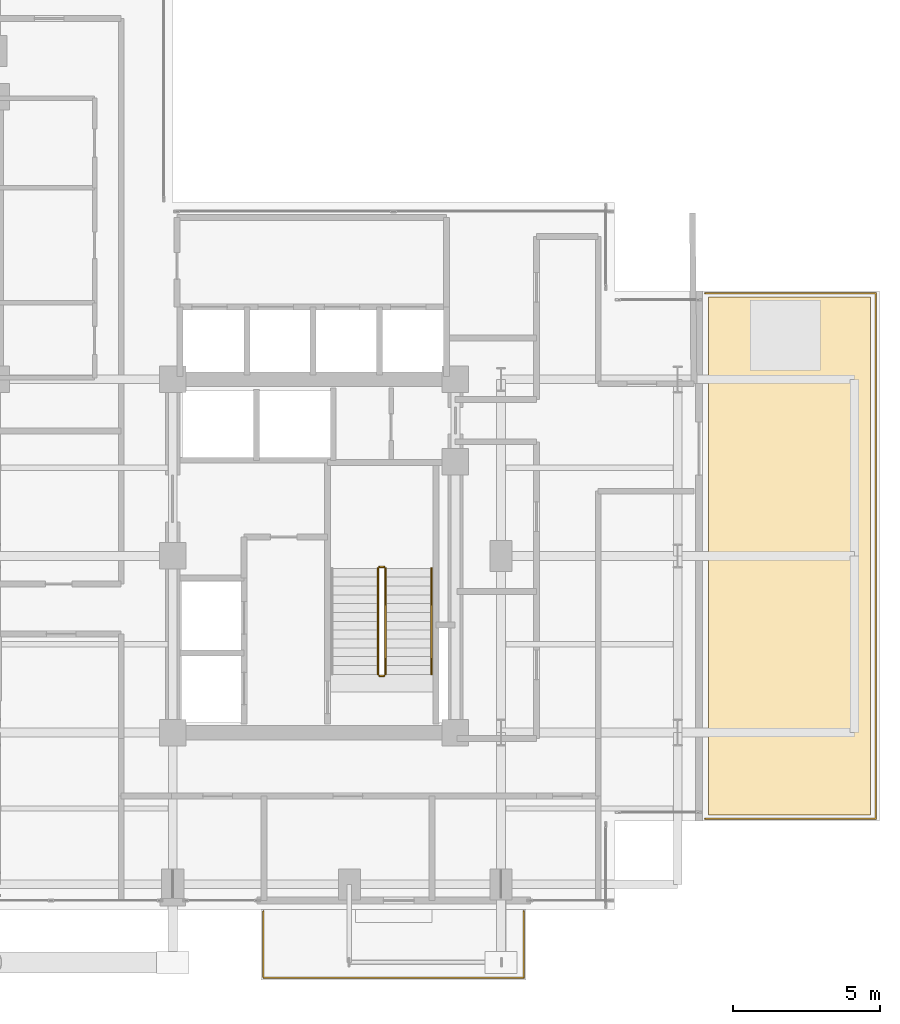
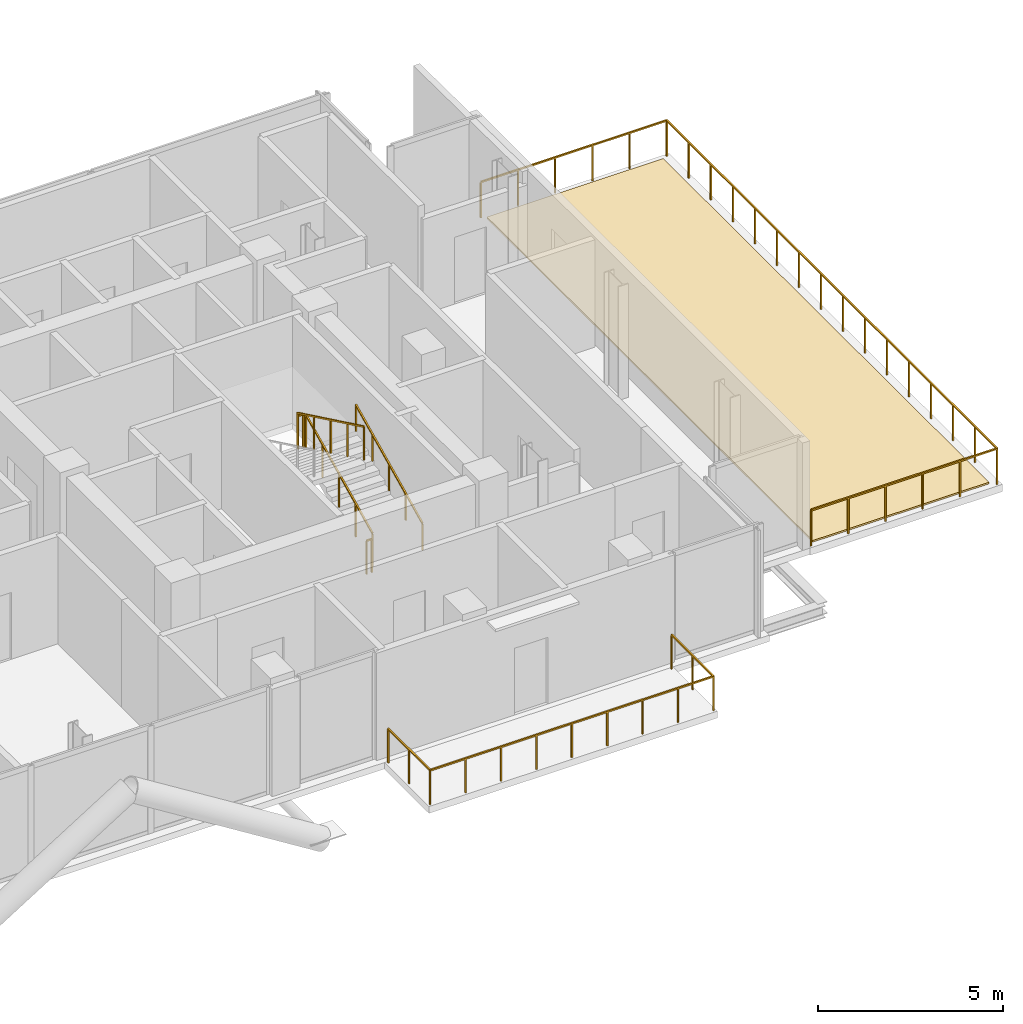
# One storey, part 27 of 28: 7 railings, 1 covering.
"""IFC4 building model written with IfcOpenShell, lengths in metres."""

import ifcopenshell
import ifcopenshell.guid

model = None  # the IFC model being written
_history = None  # IfcOwnerHistory: only IFC2X3 demands one
_inside = {}  # id of a spatial element -> (the spatial element, [elements in it])
_under = {}  # id of a project, library or spatial element -> (it, [spatial elements below it])
_declared = {}  # id of a project -> (the project, [libraries it declares])
_typed = {}  # id of a type object -> (the type object, [elements of that type])
_made_of = {}  # id of a material, layer set ... -> (it, [elements and type objects made of it])


def new_model(schema):
    """Start an empty IFC model of exactly this schema.

    Asked for "IFC4X3", IfcOpenShell would pick the latest addendum, in which some entities
    have other attributes; the version numbers below select the first issue.
    IFC2X3 requires an IfcOwnerHistory on every rooted entity: one is made here for all.
    """
    global model, _history
    if schema == "IFC4X3":
        model = ifcopenshell.file(schema_version=(4, 3, 0, 0))
    else:
        model = ifcopenshell.file(schema=schema)
    _inside.clear()
    _under.clear()
    _declared.clear()
    _typed.clear()
    _made_of.clear()
    _history = None
    if model.schema == "IFC2X3":
        org = make("IfcOrganization", Name="unknown")
        user = make(
            "IfcPersonAndOrganization",
            ThePerson=make("IfcPerson", FamilyName="unknown"),
            TheOrganization=org,
        )
        app = make(
            "IfcApplication",
            ApplicationDeveloper=org,
            Version="unknown",
            ApplicationFullName="unknown",
            ApplicationIdentifier="unknown",
        )
        _history = make(
            "IfcOwnerHistory",
            OwningUser=user,
            OwningApplication=app,
            ChangeAction="ADDED",
            CreationDate=0,
        )
    return model


def make(cls, **values):
    """One entity of the class cls with the attributes given. An attribute that is None is left unset."""
    return model.create_entity(
        cls, **{name: value for name, value in values.items() if value is not None}
    )


def rooted(cls, **values):
    """An entity with a GlobalId (a new one), such as an element, a storey or a relation."""
    return make(cls, GlobalId=ifcopenshell.guid.new(), OwnerHistory=_history, **values)


def si_unit(unit_type, name, prefix=None):
    """IfcSIUnit, for example si_unit("LENGTHUNIT", "METRE", prefix="MILLI")."""
    return make("IfcSIUnit", UnitType=unit_type, Prefix=prefix, Name=name)


def assignment(units):
    """IfcUnitAssignment: the units of a project."""
    return None if units is None else make("IfcUnitAssignment", Units=units)


def point(xyz):
    """IfcCartesianPoint."""
    return None if xyz is None else make("IfcCartesianPoint", Coordinates=xyz)


def direction(xyz):
    """IfcDirection."""
    return None if xyz is None else make("IfcDirection", DirectionRatios=xyz)


def frame(location, z_axis=None, x_axis=None):
    """IfcAxis2Placement3D, a coordinate frame: its origin and axes. An axis left out is left unset."""
    return make(
        "IfcAxis2Placement3D",
        Location=point(location),
        Axis=direction(z_axis),
        RefDirection=direction(x_axis),
    )


def frame_2d(location, x_axis=None):
    """IfcAxis2Placement2D, a coordinate frame in the plane: its origin and x axis."""
    return make(
        "IfcAxis2Placement2D", Location=point(location), RefDirection=direction(x_axis)
    )


def origin():
    """The frame at (0, 0, 0) with its axes left unset."""
    return frame((0.0, 0.0, 0.0))


def origin_2d():
    """The frame at (0, 0) in the plane with its x axis left unset."""
    return frame_2d((0.0, 0.0))


def place(relative_to, where):
    """IfcLocalPlacement: puts the frame where relative to a parent placement (None: the world)."""
    return make(
        "IfcLocalPlacement", PlacementRelTo=relative_to, RelativePlacement=where
    )


def context(
    kind, dimensions, precision=None, world=None, true_north=None, identifier=None
):
    """IfcGeometricRepresentationContext, for example the 3D "Model" context."""
    return make(
        "IfcGeometricRepresentationContext",
        ContextIdentifier=identifier,
        ContextType=kind,
        CoordinateSpaceDimension=dimensions,
        Precision=precision,
        WorldCoordinateSystem=world,
        TrueNorth=true_north,
    )


def subcontext(parent, identifier, kind, view, scale=None):
    """IfcGeometricRepresentationSubContext, for example "Body" below "Model"."""
    return make(
        "IfcGeometricRepresentationSubContext",
        ContextIdentifier=identifier,
        ContextType=kind,
        ParentContext=parent,
        TargetScale=scale,
        TargetView=view,
    )


def project(units=None, contexts=None):
    """IfcProject with its units and contexts."""
    return rooted(
        "IfcProject",
        Name="project",
        RepresentationContexts=contexts,
        UnitsInContext=assignment(units),
    )


def spatial(cls, under=None, at=None, **own):
    """A site, building, storey or space (cls), placed at a placement, below another one or the project."""
    s = rooted(cls, ObjectPlacement=at, **own)
    if under is not None:
        _under.setdefault(under.id(), (under, []))[1].append(s)
    return s


def polyline(points):
    """IfcPolyline through the points."""
    return make("IfcPolyline", Points=[point(p) for p in points])


def profile(cls, at=None, kind="AREA", **sizes):
    """A parametric profile (cls). Its sizes go by their IFC names, for example OverallWidth=200.0."""
    return make(cls, ProfileType=kind, Position=at, **sizes)


def rectangle(**sizes):
    """IfcRectangleProfileDef."""
    return profile("IfcRectangleProfileDef", **sizes)


def outline(outer, holes=None, kind="AREA"):
    """IfcArbitraryClosedProfileDef: a profile drawn as a closed curve; with holes, ...WithVoids."""
    if holes is None:
        return make("IfcArbitraryClosedProfileDef", ProfileType=kind, OuterCurve=outer)
    return make(
        "IfcArbitraryProfileDefWithVoids",
        ProfileType=kind,
        OuterCurve=outer,
        InnerCurves=holes,
    )


def extrude(swept, where, along, depth):
    """IfcExtrudedAreaSolid: the profile swept, set in the frame where, extruded along a direction by depth."""
    return make(
        "IfcExtrudedAreaSolid",
        SweptArea=swept,
        Position=where,
        ExtrudedDirection=direction(along),
        Depth=depth,
    )


def shape(context_of_items, identifier, shape_type, items):
    """IfcShapeRepresentation: the items that make up one representation, for example the "Body"."""
    return make(
        "IfcShapeRepresentation",
        ContextOfItems=context_of_items,
        RepresentationIdentifier=identifier,
        RepresentationType=shape_type,
        Items=items,
    )


def material(Name=None, Category=None):
    """IfcMaterial."""
    return make("IfcMaterial", Name=Name, Category=Category)


def layer(
    of_material, thickness, ventilated=None, Name=None, Category=None, Priority=None
):
    """IfcMaterialLayer: one layer of a wall or slab, of a material (None: an air gap)."""
    return make(
        "IfcMaterialLayer",
        Material=of_material,
        LayerThickness=thickness,
        IsVentilated=ventilated,
        Name=Name,
        Category=Category,
        Priority=Priority,
    )


def layer_set(layers, Name=None):
    """IfcMaterialLayerSet."""
    return make("IfcMaterialLayerSet", MaterialLayers=layers, LayerSetName=Name)


def made_of(thing, what):
    """Note that an element or type object is made of a material, layer set ...; save() writes the relation."""
    if what is not None:
        _made_of.setdefault(what.id(), (what, []))[1].append(thing)
    return thing


def type_object(cls, material=None, **own):
    """A type object (cls), such as IfcWallType, which elements share."""
    return made_of(rooted(cls, **own), material)


def element(
    cls,
    number,
    at=None,
    inside=None,
    cuts=None,
    type_object=None,
    material=None,
    context=None,
    identifier="Body",
    shape_type=None,
    held_by="IfcProductDefinitionShape",
    body=None,
    shapes=None,
    **own,
):
    """One element of the class cls, such as IfcWall. Its Tag is "e" and its number.

    at: its placement. inside: the storey or other place that contains it. cuts: it is an
    opening in that element (IfcRelVoidsElement). A single representation is given by context,
    identifier, shape_type and body (its items); several are given by shapes. held_by: the class
    of the entity that holds the representations. save() writes the other relations.
    """
    e = rooted(cls, Tag="e%d" % number, ObjectPlacement=at, **own)
    if body is not None:
        shapes = [shape(context, identifier, shape_type, body)]
    if shapes is not None:
        e.Representation = make(held_by, Representations=shapes)
    if inside is not None:
        _inside.setdefault(inside.id(), (inside, []))[1].append(e)
    if cuts is not None:
        rooted(
            "IfcRelVoidsElement", RelatingBuildingElement=cuts, RelatedOpeningElement=e
        )
    if type_object is not None:
        _typed.setdefault(type_object.id(), (type_object, []))[1].append(e)
    return made_of(e, material)


def aggregate(whole, parts):
    """IfcRelAggregates: a whole, such as a stair, and the parts it consists of."""
    return rooted("IfcRelAggregates", RelatingObject=whole, RelatedObjects=parts)


def save(model, path):
    """Write the relations noted so far, then the file.

    IfcRelAggregates (storeys below a building ...), IfcRelContainedInSpatialStructure (elements
    in a storey), IfcRelDefinesByType, IfcRelAssociatesMaterial and IfcRelDeclares: one each for
    every whole, place, type object, material and project.
    """
    for whole, parts in _under.values():
        aggregate(whole, parts)
    for where, things in _inside.values():
        rooted(
            "IfcRelContainedInSpatialStructure",
            RelatedElements=things,
            RelatingStructure=where,
        )
    for kind, things in _typed.values():
        rooted("IfcRelDefinesByType", RelatedObjects=things, RelatingType=kind)
    for what, things in _made_of.values():
        rooted("IfcRelAssociatesMaterial", RelatedObjects=things, RelatingMaterial=what)
    for by, libraries in _declared.values():
        rooted("IfcRelDeclares", RelatingContext=by, RelatedDefinitions=libraries)
    model.write(path)


model = new_model("IFC4")

# Units and contexts
model_context = context("Model", 3, precision=1e-05, world=origin(), true_north=direction((0.0, 1.0)))
body_context = subcontext(model_context, "Body", "Model", "MODEL_VIEW")
ifc_project = project(units=[si_unit("LENGTHUNIT", "METRE"), si_unit("AREAUNIT", "SQUARE_METRE"), si_unit("VOLUMEUNIT", "CUBIC_METRE"), si_unit("PLANEANGLEUNIT", "RADIAN"), si_unit("MASSUNIT", "GRAM", prefix="KILO"), si_unit("THERMODYNAMICTEMPERATUREUNIT", "KELVIN"), si_unit("POWERUNIT", "WATT")], contexts=[model_context])

# Site, building, storey
site_placement = place(None, origin())
site = spatial("IfcSite", under=ifc_project, at=site_placement, CompositionType="ELEMENT")
building_placement = place(site_placement, origin())
building = spatial("IfcBuilding", under=site, at=building_placement, Name="Svarakhadi Broadcast Tower", CompositionType="ELEMENT")
storey_placement = place(building_placement, frame((0.0, 0.0, 169.199951171875)))
storey = spatial("IfcBuildingStorey", under=building, at=storey_placement, Name="L41", CompositionType="ELEMENT", Elevation=169.199951171875)

# Railings
ifc_material_1 = material(Name="Laminated Structural SentryGlas Balustrade 25.5 mm", Category="glass")
railing_type_1 = type_object("IfcRailingType", Name="Guard_Balcony_GR01", PredefinedType="BALUSTRADE", material=ifc_material_1)
railing_1_placement = place(storey_placement, frame((27.080078125, -0.06005859375, 0.0)))
element("IfcRailing", 1, at=railing_1_placement, inside=storey, type_object=railing_type_1, Name="L41 South Tree Balcony Guard GR-05", PredefinedType="BALUSTRADE", context=body_context, shape_type="SweptSolid", body=[
    extrude(rectangle(XDim=0.048095703125, YDim=0.048095703125, at=origin_2d()), frame((0.0, 0.0, 1.1259765625), z_axis=(0.0, -1.0, 0.0), x_axis=(1.0, 0.0, 0.0)), (0.0, 0.0, 1.0), 2.260009765625),
    extrude(rectangle(XDim=0.048095703125, YDim=0.048095703125, at=origin_2d()), frame((0.0, -2.260009765625, 1.1259765625), z_axis=(1.0, 0.0, 0.0), x_axis=(0.0, 1.0, 0.0)), (0.0, 0.0, 1.0), 8.83984375),
    extrude(rectangle(XDim=0.048095703125, YDim=0.048095703125, at=origin_2d()), frame((8.83984375, -2.260009765625, 1.1259765625), z_axis=(0.0, 1.0, 0.0), x_axis=(-1.0, 0.0, 0.0)), (0.0, 0.0, 1.0), 2.260009765625),
    extrude(rectangle(XDim=0.0419921875, YDim=0.0419921875, at=origin_2d()), origin(), (0.0, 0.0, 1.0), 1.101806640625),
    extrude(rectangle(XDim=0.0419921875, YDim=0.0419921875, at=origin_2d()), frame((0.0, -1.1298828125, 0.0)), (0.0, 0.0, 1.0), 1.101806640625),
    extrude(rectangle(XDim=0.0419921875, YDim=0.0419921875, at=origin_2d()), frame((0.0, -2.260009765625, 0.0)), (0.0, 0.0, 1.0), 1.101806640625),
    extrude(rectangle(XDim=0.0419921875, YDim=0.0419921875, at=origin_2d()), frame((1.10498046875, -2.260009765625, 0.0)), (0.0, 0.0, 1.0), 1.101806640625),
    extrude(rectangle(XDim=0.0419921875, YDim=0.0419921875, at=origin_2d()), frame((2.2099609375, -2.260009765625, 0.0)), (0.0, 0.0, 1.0), 1.101806640625),
    extrude(rectangle(XDim=0.0419921875, YDim=0.0419921875, at=origin_2d()), frame((3.31494140625, -2.260009765625, 0.0)), (0.0, 0.0, 1.0), 1.101806640625),
    extrude(rectangle(XDim=0.0419921875, YDim=0.0419921875, at=origin_2d()), frame((4.419921875, -2.260009765625, 0.0)), (0.0, 0.0, 1.0), 1.101806640625),
    extrude(rectangle(XDim=0.0419921875, YDim=0.0419921875, at=origin_2d()), frame((5.52490234375, -2.260009765625, 0.0)), (0.0, 0.0, 1.0), 1.101806640625),
    extrude(rectangle(XDim=0.0419921875, YDim=0.0419921875, at=origin_2d()), frame((6.6298828125, -2.260009765625, 0.0)), (0.0, 0.0, 1.0), 1.101806640625),
    extrude(rectangle(XDim=0.0419921875, YDim=0.0419921875, at=origin_2d()), frame((7.73486328125, -2.260009765625, 0.0)), (0.0, 0.0, 1.0), 1.101806640625),
    extrude(rectangle(XDim=0.0419921875, YDim=0.0419921875, at=origin_2d()), frame((8.83984375, -2.260009765625, 0.0)), (0.0, 0.0, 1.0), 1.101806640625),
    extrude(rectangle(XDim=0.0419921875, YDim=0.0419921875, at=origin_2d()), frame((8.83984375, -1.1298828125, 0.0)), (0.0, 0.0, 1.0), 1.101806640625),
    extrude(rectangle(XDim=0.0419921875, YDim=0.0419921875, at=origin_2d()), frame((8.83984375, 0.0, 0.0)), (0.0, 0.0, 1.0), 1.101806640625),
])
ifc_material_2 = material(Name="Anodised Bronze Aluminium AA 6063-T6", Category="aluminium")
railing_type_2 = type_object("IfcRailingType", Name="Guard_Stair_GR01", PredefinedType="GUARDRAIL", material=ifc_material_2)
railing_2_placement = place(storey_placement, frame((31.22998046875, 7.97998046875, 0.144287109375)))
element("IfcRailing", 2, at=railing_2_placement, inside=storey, type_object=railing_type_2, Name="L41 ST-02 stair guard 1", PredefinedType="GUARDRAIL", context=body_context, shape_type="SweptSolid", body=[
    extrude(rectangle(XDim=0.048095703125, YDim=0.048095703125, at=origin_2d()), frame((0.0, 0.0, 1.09619140625), z_axis=(0.0, 0.901262522062, 0.433273431364), x_axis=(-1.0, 0.0, 0.0)), (0.0, 0.0, 1.0), 3.994384765625),
    extrude(rectangle(XDim=0.0419921875, YDim=0.0419921875, at=origin_2d()), origin(), (0.0, 0.0, 1.0), 1.072021484375),
    extrude(rectangle(XDim=0.0419921875, YDim=0.0419921875, at=origin_2d()), frame((0.0, 0.89990234375, 0.4326171875)), (0.0, 0.0, 1.0), 1.072021484375),
    extrude(rectangle(XDim=0.0419921875, YDim=0.0419921875, at=origin_2d()), frame((0.0, 1.800048828125, 0.865234375)), (0.0, 0.0, 1.0), 1.072021484375),
    extrude(rectangle(XDim=0.0419921875, YDim=0.0419921875, at=origin_2d()), frame((0.0, 2.7001953125, 1.298095703125)), (0.0, 0.0, 1.0), 1.072021484375),
    extrude(rectangle(XDim=0.0419921875, YDim=0.0419921875, at=origin_2d()), frame((0.0, 3.60009765625, 1.730712890625)), (0.0, 0.0, 1.0), 1.072021484375),
])
railing_3_placement = place(storey_placement, frame((31.179931640625, 11.6298828125, 1.875)))
element("IfcRailing", 3, at=railing_3_placement, inside=storey, type_object=railing_type_2, Name="L41 ST-02 stair guard 2", PredefinedType="GUARDRAIL", context=body_context, shape_type="SweptSolid", body=[
    extrude(rectangle(XDim=0.048095703125, YDim=0.048095703125, at=origin_2d()), frame((0.0, 0.0, 1.09619140625), z_axis=(-1.0, 0.0, 0.0), x_axis=(0.0, -1.0, 0.0)), (0.0, 0.0, 1.0), 0.159912109375),
    extrude(rectangle(XDim=0.0419921875, YDim=0.0419921875, at=origin_2d()), origin(), (0.0, 0.0, 1.0), 1.072021484375),
    extrude(rectangle(XDim=0.0419921875, YDim=0.0419921875, at=origin_2d()), frame((-0.159912109375, 0.0, 0.0)), (0.0, 0.0, 1.0), 1.072021484375),
])
railing_4_placement = place(storey_placement, frame((30.969970703125, 11.580078125, 2.019287109375)))
element("IfcRailing", 4, at=railing_4_placement, inside=storey, type_object=railing_type_2, Name="L41 ST-02 stair guard 3", PredefinedType="GUARDRAIL", context=body_context, shape_type="SweptSolid", body=[
    extrude(rectangle(XDim=0.048095703125, YDim=0.048095703125, at=origin_2d()), frame((0.0, 0.0, 1.09619140625), z_axis=(0.0, -0.901262522062, 0.433273431364), x_axis=(1.0, 0.0, 0.0)), (0.0, 0.0, 1.0), 3.994384765625),
    extrude(rectangle(XDim=0.0419921875, YDim=0.0419921875, at=origin_2d()), origin(), (0.0, 0.0, 1.0), 1.072021484375),
    extrude(rectangle(XDim=0.0419921875, YDim=0.0419921875, at=origin_2d()), frame((0.0, -0.89990234375, 0.4326171875)), (0.0, 0.0, 1.0), 1.072021484375),
    extrude(rectangle(XDim=0.0419921875, YDim=0.0419921875, at=origin_2d()), frame((0.0, -1.800048828125, 0.865234375)), (0.0, 0.0, 1.0), 1.072021484375),
    extrude(rectangle(XDim=0.0419921875, YDim=0.0419921875, at=origin_2d()), frame((0.0, -2.7001953125, 1.298095703125)), (0.0, 0.0, 1.0), 1.072021484375),
    extrude(rectangle(XDim=0.0419921875, YDim=0.0419921875, at=origin_2d()), frame((0.0, -3.60009765625, 1.730712890625)), (0.0, 0.0, 1.0), 1.072021484375),
])
railing_5_placement = place(storey_placement, frame((31.179931640625, 7.929931640625, 0.0)))
element("IfcRailing", 5, at=railing_5_placement, inside=storey, type_object=railing_type_2, Name="L41 ST-02 stair guard 4", PredefinedType="GUARDRAIL", context=body_context, shape_type="SweptSolid", body=[
    extrude(rectangle(XDim=0.048095703125, YDim=0.048095703125, at=origin_2d()), frame((0.0, 0.0, 1.09619140625), z_axis=(-1.0, 0.0, 0.0), x_axis=(0.0, -1.0, 0.0)), (0.0, 0.0, 1.0), 0.159912109375),
    extrude(rectangle(XDim=0.0419921875, YDim=0.0419921875, at=origin_2d()), origin(), (0.0, 0.0, 1.0), 1.072021484375),
    extrude(rectangle(XDim=0.0419921875, YDim=0.0419921875, at=origin_2d()), frame((-0.159912109375, 0.0, 0.0)), (0.0, 0.0, 1.0), 1.072021484375),
])
railing_type_3 = type_object("IfcRailingType", Name="Guard_Terrace_GR02", PredefinedType="BALUSTRADE", material=ifc_material_2)
railing_6_placement = place(storey_placement, frame((42.080078125, 3.080078125, 0.0)))
element("IfcRailing", 6, at=railing_6_placement, inside=storey, type_object=railing_type_3, Name="L41 East Setback Sky Garden Guard GR-02", PredefinedType="BALUSTRADE", context=body_context, shape_type="SweptSolid", body=[
    extrude(rectangle(XDim=0.048095703125, YDim=0.048095703125, at=origin_2d()), frame((0.0, 0.0, 1.17578125), z_axis=(1.0, 0.0, 0.0), x_axis=(0.0, 1.0, 0.0)), (0.0, 0.0, 1.0), 5.7998046875),
    extrude(rectangle(XDim=0.048095703125, YDim=0.048095703125, at=origin_2d()), frame((5.7998046875, 0.0, 1.17578125), z_axis=(0.0, 1.0, 0.0), x_axis=(-1.0, 0.0, 0.0)), (0.0, 0.0, 1.0), 17.83984375),
    extrude(rectangle(XDim=0.048095703125, YDim=0.048095703125, at=origin_2d()), frame((5.7998046875, 17.83984375, 1.17578125), z_axis=(-1.0, 0.0, 0.0), x_axis=(0.0, -1.0, 0.0)), (0.0, 0.0, 1.0), 5.7998046875),
    extrude(rectangle(XDim=0.0419921875, YDim=0.0419921875, at=origin_2d()), origin(), (0.0, 0.0, 1.0), 1.15185546875),
    extrude(rectangle(XDim=0.0419921875, YDim=0.0419921875, at=origin_2d()), frame((1.159912109375, 0.0, 0.0)), (0.0, 0.0, 1.0), 1.15185546875),
    extrude(rectangle(XDim=0.0419921875, YDim=0.0419921875, at=origin_2d()), frame((2.31982421875, 0.0, 0.0)), (0.0, 0.0, 1.0), 1.15185546875),
    extrude(rectangle(XDim=0.0419921875, YDim=0.0419921875, at=origin_2d()), frame((3.47998046875, 0.0, 0.0)), (0.0, 0.0, 1.0), 1.15185546875),
    extrude(rectangle(XDim=0.0419921875, YDim=0.0419921875, at=origin_2d()), frame((4.639892578125, 0.0, 0.0)), (0.0, 0.0, 1.0), 1.15185546875),
    extrude(rectangle(XDim=0.0419921875, YDim=0.0419921875, at=origin_2d()), frame((5.7998046875, 0.0, 0.0)), (0.0, 0.0, 1.0), 1.15185546875),
    extrude(rectangle(XDim=0.0419921875, YDim=0.0419921875, at=origin_2d()), frame((5.7998046875, 1.189208984375, 0.0)), (0.0, 0.0, 1.0), 1.15185546875),
    extrude(rectangle(XDim=0.0419921875, YDim=0.0419921875, at=origin_2d()), frame((5.7998046875, 2.378662109375, 0.0)), (0.0, 0.0, 1.0), 1.15185546875),
    extrude(rectangle(XDim=0.0419921875, YDim=0.0419921875, at=origin_2d()), frame((5.7998046875, 3.56787109375, 0.0)), (0.0, 0.0, 1.0), 1.15185546875),
    extrude(rectangle(XDim=0.0419921875, YDim=0.0419921875, at=origin_2d()), frame((5.7998046875, 4.75732421875, 0.0)), (0.0, 0.0, 1.0), 1.15185546875),
    extrude(rectangle(XDim=0.0419921875, YDim=0.0419921875, at=origin_2d()), frame((5.7998046875, 5.946533203125, 0.0)), (0.0, 0.0, 1.0), 1.15185546875),
    extrude(rectangle(XDim=0.0419921875, YDim=0.0419921875, at=origin_2d()), frame((5.7998046875, 7.135986328125, 0.0)), (0.0, 0.0, 1.0), 1.15185546875),
    extrude(rectangle(XDim=0.0419921875, YDim=0.0419921875, at=origin_2d()), frame((5.7998046875, 8.3251953125, 0.0)), (0.0, 0.0, 1.0), 1.15185546875),
    extrude(rectangle(XDim=0.0419921875, YDim=0.0419921875, at=origin_2d()), frame((5.7998046875, 9.5146484375, 0.0)), (0.0, 0.0, 1.0), 1.15185546875),
    extrude(rectangle(XDim=0.0419921875, YDim=0.0419921875, at=origin_2d()), frame((5.7998046875, 10.703857421875, 0.0)), (0.0, 0.0, 1.0), 1.15185546875),
    extrude(rectangle(XDim=0.0419921875, YDim=0.0419921875, at=origin_2d()), frame((5.7998046875, 11.893310546875, 0.0)), (0.0, 0.0, 1.0), 1.15185546875),
    extrude(rectangle(XDim=0.0419921875, YDim=0.0419921875, at=origin_2d()), frame((5.7998046875, 13.08251953125, 0.0)), (0.0, 0.0, 1.0), 1.15185546875),
    extrude(rectangle(XDim=0.0419921875, YDim=0.0419921875, at=origin_2d()), frame((5.7998046875, 14.27197265625, 0.0)), (0.0, 0.0, 1.0), 1.15185546875),
    extrude(rectangle(XDim=0.0419921875, YDim=0.0419921875, at=origin_2d()), frame((5.7998046875, 15.461181640625, 0.0)), (0.0, 0.0, 1.0), 1.15185546875),
    extrude(rectangle(XDim=0.0419921875, YDim=0.0419921875, at=origin_2d()), frame((5.7998046875, 16.650634765625, 0.0)), (0.0, 0.0, 1.0), 1.15185546875),
    extrude(rectangle(XDim=0.0419921875, YDim=0.0419921875, at=origin_2d()), frame((5.7998046875, 17.83984375, 0.0)), (0.0, 0.0, 1.0), 1.15185546875),
    extrude(rectangle(XDim=0.0419921875, YDim=0.0419921875, at=origin_2d()), frame((4.639892578125, 17.83984375, 0.0)), (0.0, 0.0, 1.0), 1.15185546875),
    extrude(rectangle(XDim=0.0419921875, YDim=0.0419921875, at=origin_2d()), frame((3.47998046875, 17.83984375, 0.0)), (0.0, 0.0, 1.0), 1.15185546875),
    extrude(rectangle(XDim=0.0419921875, YDim=0.0419921875, at=origin_2d()), frame((2.31982421875, 17.83984375, 0.0)), (0.0, 0.0, 1.0), 1.15185546875),
    extrude(rectangle(XDim=0.0419921875, YDim=0.0419921875, at=origin_2d()), frame((1.159912109375, 17.83984375, 0.0)), (0.0, 0.0, 1.0), 1.15185546875),
    extrude(rectangle(XDim=0.0419921875, YDim=0.0419921875, at=origin_2d()), frame((0.0, 17.83984375, 0.0)), (0.0, 0.0, 1.0), 1.15185546875),
])
railing_type_4 = type_object("IfcRailingType", Name="Handrail_Stair_HR01", PredefinedType="HANDRAIL", material=ifc_material_2)
railing_7_placement = place(storey_placement, frame((32.7900390625, 7.97998046875, 0.144287109375)))
element("IfcRailing", 7, at=railing_7_placement, inside=storey, type_object=railing_type_4, Name="L41 ST-02 stair handrail 1", PredefinedType="HANDRAIL", context=body_context, shape_type="SweptSolid", body=[
    extrude(rectangle(XDim=0.048095703125, YDim=0.048095703125, at=origin_2d()), frame((0.0, 0.0, 0.8759765625), z_axis=(0.0, 0.901262522062, 0.433273431364), x_axis=(-1.0, 0.0, 0.0)), (0.0, 0.0, 1.0), 3.994384765625),
    extrude(rectangle(XDim=0.0419921875, YDim=0.0419921875, at=origin_2d()), origin(), (0.0, 0.0, 1.0), 0.851806640625),
    extrude(rectangle(XDim=0.0419921875, YDim=0.0419921875, at=origin_2d()), frame((0.0, 0.89990234375, 0.4326171875)), (0.0, 0.0, 1.0), 0.851806640625),
    extrude(rectangle(XDim=0.0419921875, YDim=0.0419921875, at=origin_2d()), frame((0.0, 1.800048828125, 0.865234375)), (0.0, 0.0, 1.0), 0.851806640625),
    extrude(rectangle(XDim=0.0419921875, YDim=0.0419921875, at=origin_2d()), frame((0.0, 2.7001953125, 1.298095703125)), (0.0, 0.0, 1.0), 0.851806640625),
    extrude(rectangle(XDim=0.0419921875, YDim=0.0419921875, at=origin_2d()), frame((0.0, 3.60009765625, 1.730712890625)), (0.0, 0.0, 1.0), 0.851806640625),
])

# Covering
ifc_material_3 = material(Name="SBS Modified Bitumen Waterproofing Membrane", Category="bitumen")
ifc_layer = layer(ifc_material_3, 0.054931640625)
ifc_layer_set = layer_set([ifc_layer], Name="SBS Modified Bitumen Waterproofing Membrane")
covering_type = type_object("IfcCoveringType", Name="Roofing_Membrane_RM02", PredefinedType="ROOFING", material=ifc_layer_set)
covering_placement = place(storey_placement, origin())
element("IfcCovering", 8, at=covering_placement, inside=storey, type_object=covering_type, Name="L41 Setback Terrace Waterproofing Membrane CV-07", PredefinedType="ROOFING", context=body_context, shape_type="SweptSolid", body=[
    extrude(outline(polyline([(42.199951171875, 3.199951171875), (47.699951171875, 3.199951171875), (47.699951171875, 20.800048828125), (42.199951171875, 20.800048828125), (42.199951171875, 3.199951171875)])), origin(), (0.0, 0.0, 1.0), 0.054931640625),
])

save(model, "model.ifc")
